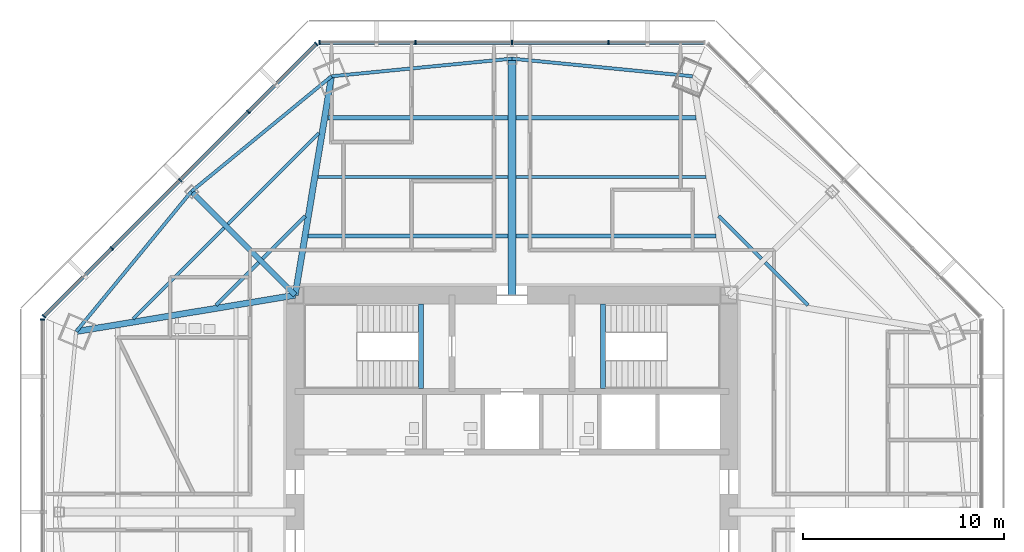
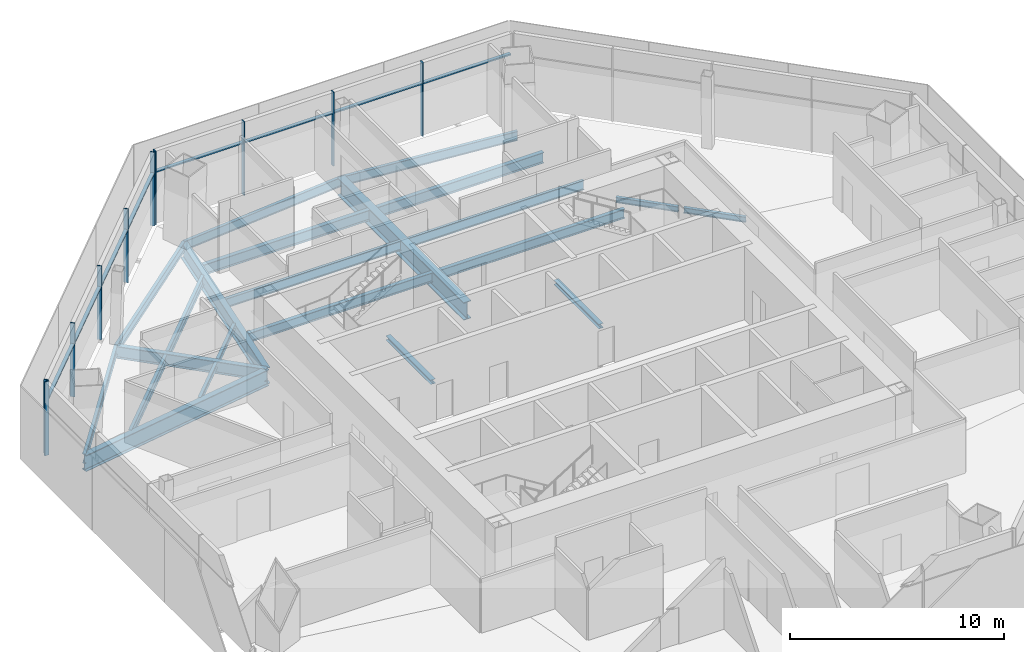
# One storey, part 5 of 15: 22 beams, 18 members, 3 elements without a shape of their own.
"""IFC4 building model written with IfcOpenShell, lengths in metres."""

from ifc_helpers import new_model, si_unit, direction, frame, origin, origin_2d, place, context, subcontext, project, spatial, rectangle, i_section, extrude, source, transform, mapped, material, material_profile, profile_set, type_object, type_shapes, element, aggregate, save


model = new_model("IFC4")

# Units and contexts
model_context = context("Model", 3, precision=1e-05, world=origin(), true_north=direction((0.0, 1.0)))
body_context = subcontext(model_context, "Body", "Model", "MODEL_VIEW")
ifc_project = project(units=[si_unit("LENGTHUNIT", "METRE"), si_unit("AREAUNIT", "SQUARE_METRE"), si_unit("VOLUMEUNIT", "CUBIC_METRE"), si_unit("PLANEANGLEUNIT", "RADIAN"), si_unit("MASSUNIT", "GRAM", prefix="KILO")], contexts=[model_context])

# Site, building, storey
site_placement = place(None, origin())
site = spatial("IfcSite", under=ifc_project, at=site_placement, CompositionType="ELEMENT")
building_placement = place(site_placement, origin())
building = spatial("IfcBuilding", under=site, at=building_placement, Name="Mashrafa Tower", CompositionType="ELEMENT")
storey_placement = place(building_placement, frame((0.0, 0.0, 163.800048828125)))
storey = spatial("IfcBuildingStorey", under=building, at=storey_placement, Name="L37", CompositionType="ELEMENT", Elevation=163.800048828125)

# Beams
ifc_material_1 = material(Name="Steel ASTM A992", Category="steel")
ifc_material_profile_1 = material_profile(ifc_material_1, i_section(OverallWidth=0.164794921875, OverallDepth=0.309814453125, WebThickness=0.005859375, FlangeThickness=0.009765625, FilletRadius=0.007568359375, at=origin_2d()), Name="W12X26")
ifc_profile_set_1 = profile_set([ifc_material_profile_1], Name="Steel ASTM A992")
beam_type_1 = type_object("IfcBeamType", Name="Beam W12X26", PredefinedType="BEAM", material=ifc_profile_set_1)
for number, where, z_axis, x_axis, name in (
    (1, (-14.745361328125, 10.301513671875, -0.320068359375), (0.707066279037, 0.707147281016, 0.0), (-0.707147281016, 0.707066279037, 0.0), "Floor beam L37 006"),
    (2, (-12.432861328125, 12.6142578125, -0.320068359375), (0.707147281016, 0.707066279037, 0.0), (-0.707066279037, 0.707147281016, 0.0), "Floor beam L37 012"),
    (3, (10.301513671875, 14.745361328125, -0.320068359375), (0.707147281016, -0.707066279037, 0.0), (0.707066279037, 0.707147281016, 0.0), "Floor beam L37 027"),
    (4, (12.6142578125, 12.432861328125, -0.320068359375), (0.707066279037, -0.707147281016, 0.0), (0.707147281016, 0.707066279037, 0.0), "Floor beam L37 030"),
):
    element("IfcBeam", number, at=place(storey_placement, frame(where, z_axis=z_axis, x_axis=x_axis)), inside=storey, type_object=beam_type_1, Name=name, PredefinedType="BEAM", context=body_context, shape_type="SweptSolid", body=[
        extrude(i_section(OverallWidth=0.164794921875, OverallDepth=0.309814453125, WebThickness=0.005859375, FlangeThickness=0.009765625, FilletRadius=0.007568359375, at=origin_2d()), origin(), (0.0, 0.0, 1.0), 3.013916015625),
    ])
ifc_material_2 = material(Name="Steel ASTM A992", Category="steel")
ifc_material_profile_2 = material_profile(ifc_material_2, i_section(OverallWidth=0.1650390625, OverallDepth=0.52587890625, WebThickness=0.0087890625, FlangeThickness=0.011474609375, FilletRadius=0.0126953125, at=origin_2d()), Name="W21X44")
ifc_profile_set_2 = profile_set([ifc_material_profile_2], Name="Steel ASTM A992")
beam_type_2 = type_object("IfcBeamType", Name="Beam W21X44", PredefinedType="BEAM", material=ifc_profile_set_2)
for number, where, z_axis, x_axis, name in (
    (5, (-18.87744140625, 9.616455078125, -0.427978515625), (0.707106781187, 0.707106781187, 0.0), (-0.707106781187, 0.707106781187, 0.0), "Floor beam L37 003"),
    (6, (-14.15625, 14.337646484375, -0.427978515625), (0.707106781187, 0.707106781187, 0.0), (-0.707106781187, 0.707106781187, 0.0), "Floor beam L37 008"),
):
    element("IfcBeam", number, at=place(storey_placement, frame(where, z_axis=z_axis, x_axis=x_axis)), inside=storey, type_object=beam_type_2, Name=name, PredefinedType="BEAM", context=body_context, shape_type="SweptSolid", body=[
        extrude(i_section(OverallWidth=0.1650390625, OverallDepth=0.52587890625, WebThickness=0.0087890625, FlangeThickness=0.011474609375, FilletRadius=0.0126953125, at=origin_2d()), origin(), (0.0, 0.0, 1.0), 6.420166015625),
    ])
for number, where, z_axis, x_axis, name in (
    (7, (-15.970458984375, 15.970458984375, -0.427978515625), (-0.63502406297, -0.772492355592, 0.0), (0.772492355592, -0.63502406297, 0.0), "Spandrel beam L37 061"),
    (8, (-8.991455078125, 21.70751953125, -0.427978515625), (-0.772492355592, -0.63502406297, 0.0), (0.63502406297, -0.772492355592, 0.0), "Spandrel beam L37 063"),
):
    element("IfcBeam", number, at=place(storey_placement, frame(where, z_axis=z_axis, x_axis=x_axis)), inside=storey, type_object=beam_type_2, Name=name, PredefinedType="BEAM", context=body_context, shape_type="SweptSolid", body=[
        extrude(i_section(OverallWidth=0.1650390625, OverallDepth=0.52587890625, WebThickness=0.0087890625, FlangeThickness=0.011474609375, FilletRadius=0.0126953125, at=origin_2d()), origin(), (0.0, 0.0, 1.0), 9.034423828125),
    ])
for number, where, z_axis, x_axis, name in (
    (9, (0.0, 22.585693359375, -0.427978515625), (-0.995264372976, -0.097205081582, 0.0), (0.097205081582, -0.995264372976, 0.0), "Spandrel beam L37 065"),
    (10, (8.991455078125, 21.70751953125, -0.427978515625), (-0.995264372976, 0.097205081582, 0.0), (-0.097205081582, -0.995264372976, 0.0), "Spandrel beam L37 067"),
):
    element("IfcBeam", number, at=place(storey_placement, frame(where, z_axis=z_axis, x_axis=x_axis)), inside=storey, type_object=beam_type_2, Name=name, PredefinedType="BEAM", context=body_context, shape_type="SweptSolid", body=[
        extrude(i_section(OverallWidth=0.1650390625, OverallDepth=0.52587890625, WebThickness=0.0087890625, FlangeThickness=0.011474609375, FilletRadius=0.0126953125, at=origin_2d()), origin(), (0.0, 0.0, 1.0), 9.0341796875),
    ])
ifc_material_3 = material(Name="Steel ASTM A992", Category="steel")
ifc_material_profile_3 = material_profile(ifc_material_3, i_section(OverallWidth=0.165771484375, OverallDepth=0.5283203125, WebThickness=0.009765625, FlangeThickness=0.013671875, FilletRadius=0.012939453125, at=origin_2d()), Name="W21X50")
ifc_profile_set_3 = profile_set([ifc_material_profile_3], Name="Steel ASTM A992")
beam_type_3 = type_object("IfcBeamType", Name="Beam W21X50", PredefinedType="BEAM", material=ifc_profile_set_3)
for number, where, z_axis, x_axis, name in (
    (11, (-9.6669921875, 16.69287109375, -0.42919921875), (1.0, 0.0, 0.0), (0.0, 1.0, 0.0), "Floor beam L37 015"),
    (12, (0.20068359375, 16.69287109375, -0.42919921875), (1.0, 0.0, 0.0), (0.0, 1.0, 0.0), "Floor beam L37 022"),
):
    element("IfcBeam", number, at=place(storey_placement, frame(where, z_axis=z_axis, x_axis=x_axis)), inside=storey, type_object=beam_type_3, Name=name, PredefinedType="BEAM", context=body_context, shape_type="SweptSolid", body=[
        extrude(i_section(OverallWidth=0.165771484375, OverallDepth=0.5283203125, WebThickness=0.009765625, FlangeThickness=0.013671875, FilletRadius=0.012939453125, at=origin_2d()), origin(), (0.0, 0.0, 1.0), 9.46630859375),
    ])
ifc_material_4 = material(Name="Steel ASTM A992", Category="steel")
ifc_material_profile_4 = material_profile(ifc_material_4, i_section(OverallWidth=0.209228515625, OverallDepth=0.533447265625, WebThickness=0.01025390625, FlangeThickness=0.015625, FilletRadius=0.012939453125, at=origin_2d()), Name="W21X62")
ifc_profile_set_4 = profile_set([ifc_material_profile_4], Name="Steel ASTM A992")
beam_type_4 = type_object("IfcBeamType", Name="Beam W21X62", PredefinedType="BEAM", material=ifc_profile_set_4)
for number, where, z_axis, x_axis, name in (
    (13, (-10.15576171875, 13.746337890625, -0.431640625), (1.0, 0.0, 0.0), (0.0, 1.0, 0.0), "Floor beam L37 013"),
    (14, (0.20068359375, 13.746337890625, -0.431640625), (1.0, 0.0, 0.0), (0.0, 1.0, 0.0), "Floor beam L37 021"),
):
    element("IfcBeam", number, at=place(storey_placement, frame(where, z_axis=z_axis, x_axis=x_axis)), inside=storey, type_object=beam_type_4, Name=name, PredefinedType="BEAM", context=body_context, shape_type="SweptSolid", body=[
        extrude(i_section(OverallWidth=0.209228515625, OverallDepth=0.533447265625, WebThickness=0.01025390625, FlangeThickness=0.015625, FilletRadius=0.012939453125, at=origin_2d()), origin(), (0.0, 0.0, 1.0), 9.955078125),
    ])
ifc_material_5 = material(Name="Steel ASTM A992", Category="steel")
ifc_material_profile_5 = material_profile(ifc_material_5, i_section(OverallWidth=0.227783203125, OverallDepth=0.60205078125, WebThickness=0.010498046875, FlangeThickness=0.014892578125, FilletRadius=0.012939453125, at=origin_2d()), Name="W24X68")
ifc_profile_set_5 = profile_set([ifc_material_profile_5], Name="Steel ASTM A992")
beam_type_5 = type_object("IfcBeamType", Name="Beam W24X68", PredefinedType="BEAM", material=ifc_profile_set_5)
for number, where, z_axis, x_axis, name in (
    (15, (-9.1787109375, 19.639404296875, -0.466064453125), (1.0, 0.0, 0.0), (0.0, 1.0, 0.0), "Floor beam L37 017"),
    (16, (0.20068359375, 19.639404296875, -0.466064453125), (1.0, 0.0, 0.0), (0.0, 1.0, 0.0), "Floor beam L37 023"),
):
    element("IfcBeam", number, at=place(storey_placement, frame(where, z_axis=z_axis, x_axis=x_axis)), inside=storey, type_object=beam_type_5, Name=name, PredefinedType="BEAM", context=body_context, shape_type="SweptSolid", body=[
        extrude(i_section(OverallWidth=0.227783203125, OverallDepth=0.60205078125, WebThickness=0.010498046875, FlangeThickness=0.014892578125, FilletRadius=0.012939453125, at=origin_2d()), origin(), (0.0, 0.0, 1.0), 8.97802734375),
    ])
ifc_material_6 = material(Name="Steel ASTM A992", Category="steel")
ifc_material_profile_6 = material_profile(ifc_material_6, i_section(OverallWidth=0.256591796875, OverallDepth=0.693359375, WebThickness=0.014404296875, FlangeThickness=0.023681640625, FilletRadius=0.01513671875, at=origin_2d()), Name="W27X114")
ifc_profile_set_6 = profile_set([ifc_material_profile_6], Name="Steel ASTM A992")
beam_type_6 = type_object("IfcBeamType", Name="Beam W27X114", PredefinedType="BEAM", material=ifc_profile_set_6)
beam_1_placement = place(storey_placement, frame((-10.800048828125, 10.800048828125, -0.51171875), z_axis=(-0.707106781187, 0.707106781187, 0.0), x_axis=(-0.707106781187, -0.707106781187, 0.0)))
element("IfcBeam", 17, at=beam_1_placement, inside=storey, type_object=beam_type_6, Name="Radial girder L37 046", PredefinedType="BEAM", context=body_context, shape_type="SweptSolid", body=[
    extrude(i_section(OverallWidth=0.256591796875, OverallDepth=0.693359375, WebThickness=0.014404296875, FlangeThickness=0.023681640625, FilletRadius=0.01513671875, at=origin_2d()), origin(), (0.0, 0.0, 1.0), 7.31201171875),
])
ifc_material_7 = material(Name="Steel ASTM A992", Category="steel")
ifc_material_profile_7 = material_profile(ifc_material_7, i_section(OverallWidth=0.307373046875, OverallDepth=0.927001953125, WebThickness=0.01953125, FlangeThickness=0.031982421875, FilletRadius=0.01904296875, at=origin_2d()), Name="W36X194")
ifc_profile_set_7 = profile_set([ifc_material_profile_7], Name="Steel ASTM A992")
beam_type_7 = type_object("IfcBeamType", Name="Beam W36X194", PredefinedType="BEAM", material=ifc_profile_set_7)
for number, where, z_axis, x_axis, name in (
    (18, (-10.800048828125, 10.800048828125, -0.628662109375), (-0.986530248897, -0.163578935108, 0.0), (0.163578935108, -0.986530248897, 0.0), "Radial girder L37 045"),
    (19, (-10.800048828125, 10.800048828125, -0.628662109375), (0.163578935108, 0.986530248897, 0.0), (-0.986530248897, 0.163578935108, 0.0), "Radial girder L37 047"),
):
    element("IfcBeam", number, at=place(storey_placement, frame(where, z_axis=z_axis, x_axis=x_axis)), inside=storey, type_object=beam_type_7, Name=name, PredefinedType="BEAM", context=body_context, shape_type="SweptSolid", body=[
        extrude(i_section(OverallWidth=0.307373046875, OverallDepth=0.927001953125, WebThickness=0.01953125, FlangeThickness=0.031982421875, FilletRadius=0.01904296875, at=origin_2d()), origin(), (0.0, 0.0, 1.0), 11.056396484375),
    ])
ifc_material_8 = material(Name="Steel ASTM A992", Category="steel")
ifc_material_profile_8 = material_profile(ifc_material_8, i_section(OverallWidth=0.4013671875, OverallDepth=1.010986328125, WebThickness=0.023681640625, FlangeThickness=0.0419921875, FilletRadius=0.02001953125, at=origin_2d()), Name="W40X297")
ifc_profile_set_8 = profile_set([ifc_material_profile_8], Name="Steel ASTM A992")
beam_type_8 = type_object("IfcBeamType", Name="Beam W40X297", PredefinedType="BEAM", material=ifc_profile_set_8)
beam_2_placement = place(storey_placement, frame((0.0, 10.800048828125, -0.67041015625), z_axis=(0.0, 1.0, 0.0), x_axis=(-1.0, 0.0, 0.0)))
element("IfcBeam", 20, at=beam_2_placement, inside=storey, type_object=beam_type_8, Name="Radial girder L37 049", PredefinedType="BEAM", context=body_context, shape_type="SweptSolid", body=[
    extrude(i_section(OverallWidth=0.4013671875, OverallDepth=1.010986328125, WebThickness=0.023681640625, FlangeThickness=0.0419921875, FilletRadius=0.02001953125, at=origin_2d()), origin(), (0.0, 0.0, 1.0), 11.78564453125),
])
ifc_material_9 = material(Name="Steel ASTM A992", Category="steel")
ifc_material_profile_9 = material_profile(ifc_material_9, i_section(OverallWidth=0.25390625, OverallDepth=0.25390625, WebThickness=0.008544921875, FlangeThickness=0.01416015625, FilletRadius=0.010009765625, at=origin_2d()), Name="W10X49")
ifc_profile_set_9 = profile_set([ifc_material_profile_9], Name="Steel ASTM A992")
beam_type_9 = type_object("IfcBeamType", Name="Hoistway beam W10X49", PredefinedType="BEAM", material=ifc_profile_set_9)
for number, where, z_axis, x_axis, name in (
    (21, (-4.530029296875, 6.14990234375, -0.3271484375), (0.0, 1.0, 0.0), (-1.0, 0.0, 0.0), "Stair S1 landing beam L37"),
    (22, (4.530029296875, 6.14990234375, -0.3271484375), (0.0, 1.0, 0.0), (-1.0, 0.0, 0.0), "Stair S2 landing beam L37"),
):
    element("IfcBeam", number, at=place(storey_placement, frame(where, z_axis=z_axis, x_axis=x_axis)), inside=storey, type_object=beam_type_9, Name=name, PredefinedType="BEAM", context=body_context, shape_type="SweptSolid", body=[
        extrude(i_section(OverallWidth=0.25390625, OverallDepth=0.25390625, WebThickness=0.008544921875, FlangeThickness=0.01416015625, FilletRadius=0.010009765625, at=origin_2d()), origin(), (0.0, 0.0, 1.0), 4.2001953125),
    ])

# Curtain wall, members
ifc_material_10 = material(Name="Unitised aluminium curtain wall", Category="aluminium")
curtain_wall_type = type_object("IfcCurtainWallType", Name="Office curtain wall, zone 2 CW-B 225 deep", PredefinedType="NOTDEFINED", material=ifc_material_10)
curtain_wall_1_placement = place(storey_placement, origin())
curtain_wall_1 = element("IfcCurtainWall", 23, at=curtain_wall_1_placement, inside=storey, type_object=curtain_wall_type, Name="Office curtain wall, zone 2 L37 north", PredefinedType="NOTDEFINED")
ifc_material_11 = material(Name="Extruded aluminium mullion", Category="aluminium")
ifc_material_profile_10 = material_profile(ifc_material_11, rectangle(XDim=0.22509765625, YDim=0.06494140625, at=origin_2d()), Name="Mullion 65x225")
ifc_profile_set_10 = profile_set([ifc_material_profile_10], Name="Extruded aluminium mullion")
member_type_1 = type_object("IfcMemberType", Name="Mullion CW-B 65 x 225", PredefinedType="MULLION", material=ifc_profile_set_10)
shared_shape_1 = source(origin(), body_context, "Body", "SweptSolid", [
    extrude(rectangle(XDim=0.22509765625, YDim=0.06494140625, at=origin_2d()), origin(), (0.0, 0.0, 1.0), 4.199951171875),
])
type_shapes(member_type_1, [shared_shape_1])
member_1_placement = place(storey_placement, frame((4.81396484375, 23.381103515625, 0.0), z_axis=(0.0, 0.0, 1.0), x_axis=(0.0, -1.0, 0.0)))
member_1 = element("IfcMember", 24, at=member_1_placement, type_object=member_type_1, Name="CW-B mullion 2", PredefinedType="MULLION", context=body_context, shape_type="MappedRepresentation", body=[
    mapped(shared_shape_1, transform((0.0, 0.0, 0.0))),
])
member_2_placement = place(storey_placement, frame((0.0, 23.381103515625, 0.0), z_axis=(0.0, 0.0, 1.0), x_axis=(0.0, -1.0, 0.0)))
member_2 = element("IfcMember", 25, at=member_2_placement, type_object=member_type_1, Name="CW-B mullion 3", PredefinedType="MULLION", context=body_context, shape_type="MappedRepresentation", body=[
    mapped(shared_shape_1, transform((0.0, 0.0, 0.0))),
])
member_3_placement = place(storey_placement, frame((-4.81396484375, 23.381103515625, 0.0), z_axis=(0.0, 0.0, 1.0), x_axis=(0.0, -1.0, 0.0)))
member_3 = element("IfcMember", 26, at=member_3_placement, type_object=member_type_1, Name="CW-B mullion 4", PredefinedType="MULLION", context=body_context, shape_type="MappedRepresentation", body=[
    mapped(shared_shape_1, transform((0.0, 0.0, 0.0))),
])
member_4_placement = place(storey_placement, frame((-9.595703125, 23.381103515625, 0.0), z_axis=(0.0, 0.0, 1.0), x_axis=(0.0, -1.0, 0.0)))
member_4 = element("IfcMember", 27, at=member_4_placement, type_object=member_type_1, Name="CW-B mullion 5", PredefinedType="MULLION", context=body_context, shape_type="MappedRepresentation", body=[
    mapped(shared_shape_1, transform((0.0, 0.0, 0.0))),
])

curtain_wall_2_placement = place(storey_placement, origin())
curtain_wall_2 = element("IfcCurtainWall", 28, at=curtain_wall_2_placement, inside=storey, type_object=curtain_wall_type, Name="Office curtain wall, zone 2 L37 north-west", PredefinedType="NOTDEFINED")
member_5_placement = place(storey_placement, frame((-9.747802734375, 23.318115234375, 0.0), z_axis=(0.0, 0.0, 1.0), x_axis=(0.707106781187, -0.707106781187, 0.0)))
member_5 = element("IfcMember", 29, at=member_5_placement, type_object=member_type_1, Name="CW-B mullion 1", PredefinedType="MULLION", context=body_context, shape_type="MappedRepresentation", body=[
    mapped(shared_shape_1, transform((0.0, 0.0, 0.0))),
])
member_6_placement = place(storey_placement, frame((-13.12890625, 19.93701171875, 0.0), z_axis=(0.0, 0.0, 1.0), x_axis=(0.707106781187, -0.707106781187, 0.0)))
member_6 = element("IfcMember", 30, at=member_6_placement, type_object=member_type_1, Name="CW-B mullion 2", PredefinedType="MULLION", context=body_context, shape_type="MappedRepresentation", body=[
    mapped(shared_shape_1, transform((0.0, 0.0, 0.0))),
])
member_7_placement = place(storey_placement, frame((-16.532958984375, 16.532958984375, 0.0), z_axis=(0.0, 0.0, 1.0), x_axis=(0.707106781187, -0.707106781187, 0.0)))
member_7 = element("IfcMember", 31, at=member_7_placement, type_object=member_type_1, Name="CW-B mullion 3", PredefinedType="MULLION", context=body_context, shape_type="MappedRepresentation", body=[
    mapped(shared_shape_1, transform((0.0, 0.0, 0.0))),
])
member_8_placement = place(storey_placement, frame((-19.93701171875, 13.12890625, 0.0), z_axis=(0.0, 0.0, 1.0), x_axis=(0.707106781187, -0.707106781187, 0.0)))
member_8 = element("IfcMember", 32, at=member_8_placement, type_object=member_type_1, Name="CW-B mullion 4", PredefinedType="MULLION", context=body_context, shape_type="MappedRepresentation", body=[
    mapped(shared_shape_1, transform((0.0, 0.0, 0.0))),
])
member_9_placement = place(storey_placement, frame((-23.318115234375, 9.747802734375, 0.0), z_axis=(0.0, 0.0, 1.0), x_axis=(0.707106781187, -0.707106781187, 0.0)))
member_9 = element("IfcMember", 33, at=member_9_placement, type_object=member_type_1, Name="CW-B mullion 5", PredefinedType="MULLION", context=body_context, shape_type="MappedRepresentation", body=[
    mapped(shared_shape_1, transform((0.0, 0.0, 0.0))),
])

# Curtain wall, member
curtain_wall_3_placement = place(storey_placement, origin())
curtain_wall_3 = element("IfcCurtainWall", 34, at=curtain_wall_3_placement, inside=storey, type_object=curtain_wall_type, Name="Office curtain wall, zone 2 L37 west", PredefinedType="NOTDEFINED")
member_10_placement = place(storey_placement, frame((-23.381103515625, 9.595703125, 0.0), z_axis=(0.0, 0.0, 1.0), x_axis=(1.0, 0.0, 0.0)))
member_10 = element("IfcMember", 35, at=member_10_placement, type_object=member_type_1, Name="CW-B mullion 1", PredefinedType="MULLION", context=body_context, shape_type="MappedRepresentation", body=[
    mapped(shared_shape_1, transform((0.0, 0.0, 0.0))),
])
aggregate(curtain_wall_3, [member_10])

# Member
ifc_material_12 = material(Name="Extruded aluminium transom", Category="aluminium")
ifc_material_profile_11 = material_profile(ifc_material_12, rectangle(XDim=0.179931640625, YDim=0.080078125, at=origin_2d()), Name="Transom 80x180")
ifc_profile_set_11 = profile_set([ifc_material_profile_11], Name="Extruded aluminium transom")
member_type_2 = type_object("IfcMemberType", Name="Transom CW-B 80 x 180", PredefinedType="MULLION", material=ifc_profile_set_11)
shared_shape_2 = source(origin(), body_context, "Body", "SweptSolid", [
    extrude(rectangle(XDim=0.179931640625, YDim=0.080078125, at=origin_2d()), origin(), (0.0, 0.0, 1.0), 4.716552734375),
])
member_11_placement = place(storey_placement, frame((9.563232421875, 23.381103515625, 3.0), z_axis=(-1.0, 0.0, 0.0), x_axis=(0.0, -1.0, 0.0)))
member_11 = element("IfcMember", 36, at=member_11_placement, type_object=member_type_2, Name="CW-B transom 1", PredefinedType="MULLION", context=body_context, shape_type="MappedRepresentation", body=[
    mapped(shared_shape_2, transform((0.0, 0.0, 0.0))),
])

member_12_placement = place(storey_placement, frame((-4.8466796875, 23.381103515625, 3.0), z_axis=(-1.0, 0.0, 0.0), x_axis=(0.0, -1.0, 0.0)))
member_12 = element("IfcMember", 37, at=member_12_placement, type_object=member_type_2, Name="CW-B transom 4", PredefinedType="MULLION", context=body_context, shape_type="MappedRepresentation", body=[
    mapped(shared_shape_2, transform((0.0, 0.0, 0.0))),
])

shared_shape_3 = source(origin(), body_context, "Body", "SweptSolid", [
    extrude(rectangle(XDim=0.179931640625, YDim=0.080078125, at=origin_2d()), origin(), (0.0, 0.0, 1.0), 4.7490234375),
])
member_13_placement = place(storey_placement, frame((4.781494140625, 23.381103515625, 3.0), z_axis=(-1.0, 0.0, 0.0), x_axis=(0.0, -1.0, 0.0)))
member_13 = element("IfcMember", 38, at=member_13_placement, type_object=member_type_2, Name="CW-B transom 2", PredefinedType="MULLION", context=body_context, shape_type="MappedRepresentation", body=[
    mapped(shared_shape_3, transform((0.0, 0.0, 0.0))),
])

member_14_placement = place(storey_placement, frame((-0.032470703125, 23.381103515625, 3.0), z_axis=(-1.0, 0.0, 0.0), x_axis=(0.0, -1.0, 0.0)))
member_14 = element("IfcMember", 39, at=member_14_placement, type_object=member_type_2, Name="CW-B transom 3", PredefinedType="MULLION", context=body_context, shape_type="MappedRepresentation", body=[
    mapped(shared_shape_3, transform((0.0, 0.0, 0.0))),
])

aggregate(curtain_wall_1, [member_1, member_2, member_3, member_4, member_11, member_13, member_14, member_12])

shared_shape_4 = source(origin(), body_context, "Body", "SweptSolid", [
    extrude(rectangle(XDim=0.179931640625, YDim=0.080078125, at=origin_2d()), origin(), (0.0, 0.0, 1.0), 4.716796875),
])
member_15_placement = place(storey_placement, frame((-9.770751953125, 23.295166015625, 3.0), z_axis=(-0.707106781187, -0.707106781187, 0.0), x_axis=(0.707106781187, -0.707106781187, 0.0)))
member_15 = element("IfcMember", 40, at=member_15_placement, type_object=member_type_2, Name="CW-B transom 1", PredefinedType="MULLION", context=body_context, shape_type="MappedRepresentation", body=[
    mapped(shared_shape_4, transform((0.0, 0.0, 0.0))),
])

member_16_placement = place(storey_placement, frame((-19.9599609375, 13.10595703125, 3.0), z_axis=(-0.707106781187, -0.707106781187, 0.0), x_axis=(0.707106781187, -0.707106781187, 0.0)))
member_16 = element("IfcMember", 41, at=member_16_placement, type_object=member_type_2, Name="CW-B transom 4", PredefinedType="MULLION", context=body_context, shape_type="MappedRepresentation", body=[
    mapped(shared_shape_4, transform((0.0, 0.0, 0.0))),
])

shared_shape_5 = source(origin(), body_context, "Body", "SweptSolid", [
    extrude(rectangle(XDim=0.179931640625, YDim=0.080078125, at=origin_2d()), origin(), (0.0, 0.0, 1.0), 4.749267578125),
])
type_shapes(member_type_2, [shared_shape_2, shared_shape_3, shared_shape_4, shared_shape_5])
member_17_placement = place(storey_placement, frame((-13.15185546875, 19.9140625, 3.0), z_axis=(-0.707106781187, -0.707106781187, 0.0), x_axis=(0.707106781187, -0.707106781187, 0.0)))
member_17 = element("IfcMember", 42, at=member_17_placement, type_object=member_type_2, Name="CW-B transom 2", PredefinedType="MULLION", context=body_context, shape_type="MappedRepresentation", body=[
    mapped(shared_shape_5, transform((0.0, 0.0, 0.0))),
])

member_18_placement = place(storey_placement, frame((-16.555908203125, 16.510009765625, 3.0), z_axis=(-0.707106781187, -0.707106781187, 0.0), x_axis=(0.707106781187, -0.707106781187, 0.0)))
member_18 = element("IfcMember", 43, at=member_18_placement, type_object=member_type_2, Name="CW-B transom 3", PredefinedType="MULLION", context=body_context, shape_type="MappedRepresentation", body=[
    mapped(shared_shape_5, transform((0.0, 0.0, 0.0))),
])

aggregate(curtain_wall_2, [member_5, member_6, member_7, member_8, member_9, member_15, member_17, member_18, member_16])

save(model, "model.ifc")
